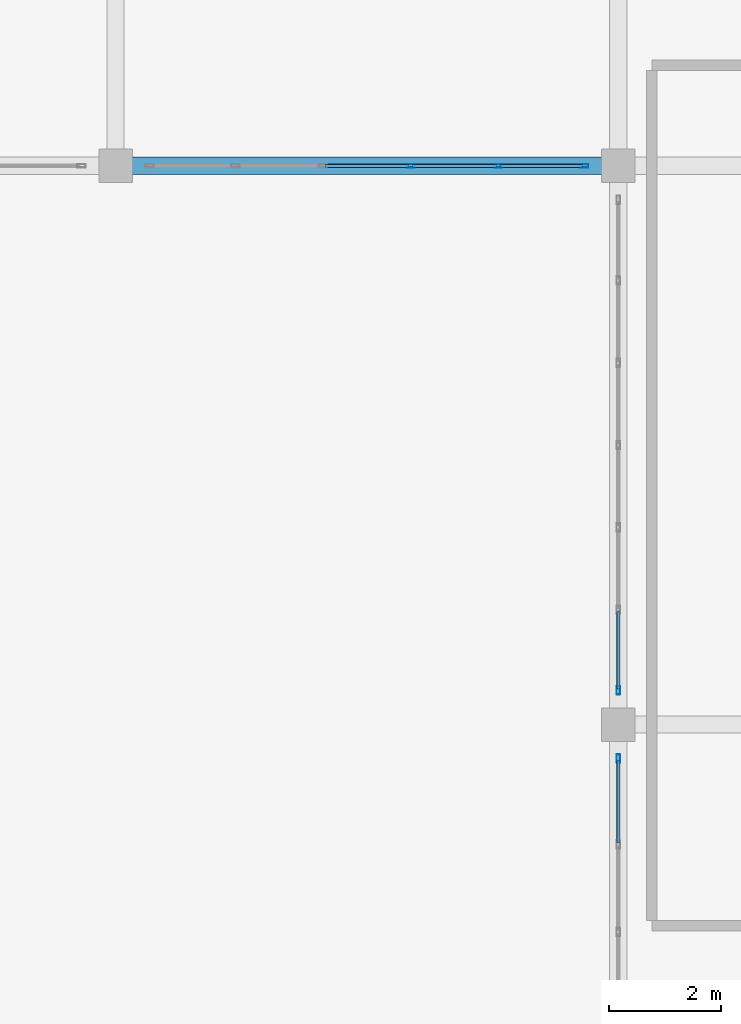
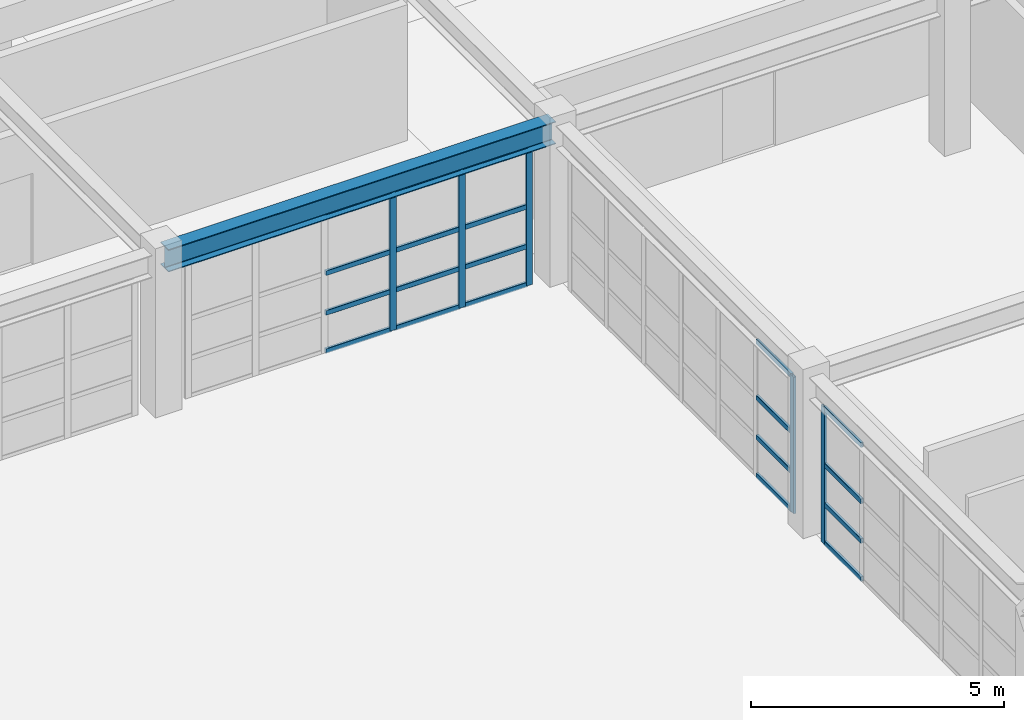
# One storey, part 20 of 110: 25 members, 1 beam, 3 elements without a shape of their own.
"""IFC4 building model written with IfcOpenShell, lengths in metres."""

from ifc_helpers import new_model, si_unit, direction, frame, origin, origin_2d, place, context, subcontext, project, spatial, hollow_rectangle, i_section, extrude, material, material_profile, profile_set, type_object, element, aggregate, save


model = new_model("IFC4")

# Units and contexts
model_context = context("Model", 3, precision=1e-05, world=origin(), true_north=direction((0.0, 1.0)))
body_context = subcontext(model_context, "Body", "Model", "MODEL_VIEW")
ifc_project = project(units=[si_unit("LENGTHUNIT", "METRE"), si_unit("AREAUNIT", "SQUARE_METRE"), si_unit("VOLUMEUNIT", "CUBIC_METRE"), si_unit("PLANEANGLEUNIT", "RADIAN"), si_unit("MASSUNIT", "GRAM", prefix="KILO")], contexts=[model_context])

# Site, building, storey
site_placement = place(None, origin())
site = spatial("IfcSite", under=ifc_project, at=site_placement, CompositionType="ELEMENT")
building_placement = place(site_placement, origin())
building = spatial("IfcBuilding", under=site, at=building_placement, Name="Miravela Opera House", CompositionType="ELEMENT")
storey_placement = place(building_placement, frame((0.0, 0.0, 13.60009765625)))
storey = spatial("IfcBuildingStorey", under=building, at=storey_placement, Name="L03", CompositionType="ELEMENT", Elevation=13.60009765625)

# Curtain wall, members
ifc_material_1 = material(Name="Anodised architectural bronze aluminium 6063-T6", Category="aluminium")
curtain_wall_type = type_object("IfcCurtainWallType", Name="ARC-CW-06", PredefinedType="NOTDEFINED", material=ifc_material_1)
curtain_wall_1_placement = place(storey_placement, origin())
curtain_wall_1 = element("IfcCurtainWall", 1, at=curtain_wall_1_placement, inside=storey, type_object=curtain_wall_type, Name="Courtyard Arcade Curtain Wall CW-L03-151", PredefinedType="NOTDEFINED")
ifc_material_profile_1 = material_profile(ifc_material_1, hollow_rectangle(XDim=0.06005859375, YDim=0.14990234375, WallThickness=0.00390625, InnerFilletRadius=0.001953125, OuterFilletRadius=0.00390625, at=origin_2d()), Name="CWM-60X150")
ifc_profile_set_1 = profile_set([ifc_material_profile_1])
member_type_1 = type_object("IfcMemberType", Name="ARC-CWM-150", PredefinedType="MULLION", material=ifc_profile_set_1)
member_1_placement = place(storey_placement, frame((59.283935546875, 28.0, 0.0), z_axis=(0.0, 0.0, 1.0), x_axis=(0.0, 1.0, 0.0)))
member_1 = element("IfcMember", 2, at=member_1_placement, type_object=member_type_1, Name="CW-06 mullion 4", PredefinedType="MULLION", context=body_context, shape_type="SweptSolid", body=[
    extrude(hollow_rectangle(XDim=0.06005859375, YDim=0.14990234375, WallThickness=0.00390625, InnerFilletRadius=0.001953125, OuterFilletRadius=0.00390625, at=origin_2d()), origin(), (0.0, 0.0, 1.0), 3.289794921875),
])
member_2_placement = place(storey_placement, frame((60.85205078125, 28.0, 0.0), z_axis=(0.0, 0.0, 1.0), x_axis=(0.0, 1.0, 0.0)))
member_2 = element("IfcMember", 3, at=member_2_placement, type_object=member_type_1, Name="CW-06 mullion 5", PredefinedType="MULLION", context=body_context, shape_type="SweptSolid", body=[
    extrude(hollow_rectangle(XDim=0.06005859375, YDim=0.14990234375, WallThickness=0.00390625, InnerFilletRadius=0.001953125, OuterFilletRadius=0.00390625, at=origin_2d()), origin(), (0.0, 0.0, 1.0), 3.289794921875),
])
member_3_placement = place(storey_placement, frame((62.389892578125, 28.0, 0.0), z_axis=(0.0, 0.0, 1.0), x_axis=(0.0, 1.0, 0.0)))
member_3 = element("IfcMember", 4, at=member_3_placement, type_object=member_type_1, Name="CW-06 mullion 6", PredefinedType="MULLION", context=body_context, shape_type="SweptSolid", body=[
    extrude(hollow_rectangle(XDim=0.06005859375, YDim=0.14990234375, WallThickness=0.00390625, InnerFilletRadius=0.001953125, OuterFilletRadius=0.00390625, at=origin_2d()), origin(), (0.0, 0.0, 1.0), 3.289794921875),
])

# Curtain wall, member
curtain_wall_2_placement = place(storey_placement, origin())
curtain_wall_2 = element("IfcCurtainWall", 5, at=curtain_wall_2_placement, inside=storey, type_object=curtain_wall_type, Name="Courtyard Arcade Curtain Wall CW-L03-154", PredefinedType="NOTDEFINED")
member_4_placement = place(storey_placement, frame((63.0, 17.389892578125, 0.0), z_axis=(0.0, 0.0, 1.0), x_axis=(-1.0, 0.0, 0.0)))
member_4 = element("IfcMember", 6, at=member_4_placement, type_object=member_type_1, Name="CW-06 mullion 6", PredefinedType="MULLION", context=body_context, shape_type="SweptSolid", body=[
    extrude(hollow_rectangle(XDim=0.06005859375, YDim=0.14990234375, WallThickness=0.00390625, InnerFilletRadius=0.001953125, OuterFilletRadius=0.00390625, at=origin_2d()), origin(), (0.0, 0.0, 1.0), 3.289794921875),
])

curtain_wall_3_placement = place(storey_placement, origin())
curtain_wall_3 = element("IfcCurtainWall", 7, at=curtain_wall_3_placement, inside=storey, type_object=curtain_wall_type, Name="Courtyard Arcade Curtain Wall CW-L03-155", PredefinedType="NOTDEFINED")
member_5_placement = place(storey_placement, frame((63.0, 18.610107421875, 0.0), z_axis=(0.0, 0.0, 1.0), x_axis=(-1.0, 0.0, 0.0)))
member_5 = element("IfcMember", 8, at=member_5_placement, type_object=member_type_1, Name="CW-06 mullion 1", PredefinedType="MULLION", context=body_context, shape_type="SweptSolid", body=[
    extrude(hollow_rectangle(XDim=0.06005859375, YDim=0.14990234375, WallThickness=0.00390625, InnerFilletRadius=0.001953125, OuterFilletRadius=0.00390625, at=origin_2d()), origin(), (0.0, 0.0, 1.0), 3.289794921875),
])

# Member
ifc_material_profile_2 = material_profile(ifc_material_1, hollow_rectangle(XDim=0.06005859375, YDim=0.114990234375, WallThickness=0.00390625, InnerFilletRadius=0.001953125, OuterFilletRadius=0.00390625, at=origin_2d()), Name="CWT-60X115")
ifc_profile_set_2 = profile_set([ifc_material_profile_2])
member_type_2 = type_object("IfcMemberType", Name="ARC-CWT-115", PredefinedType="USERDEFINED", material=ifc_profile_set_2)
member_6_placement = place(storey_placement, frame((57.74609375, 28.0, 0.02978515625), z_axis=(1.0, 0.0, 0.0), x_axis=(0.0, 1.0, 0.0)))
member_6 = element("IfcMember", 9, at=member_6_placement, type_object=member_type_2, Name="CW-06 transom 3.1", ObjectType="TRANSOM", PredefinedType="USERDEFINED", context=body_context, shape_type="SweptSolid", body=[
    extrude(hollow_rectangle(XDim=0.06005859375, YDim=0.114990234375, WallThickness=0.00390625, InnerFilletRadius=0.001953125, OuterFilletRadius=0.00390625, at=origin_2d()), origin(), (0.0, 0.0, 1.0), 1.5078125),
])

member_7_placement = place(storey_placement, frame((57.74609375, 28.0, 0.949951171875), z_axis=(1.0, 0.0, 0.0), x_axis=(0.0, 1.0, 0.0)))
member_7 = element("IfcMember", 10, at=member_7_placement, type_object=member_type_2, Name="CW-06 transom 3.2", ObjectType="TRANSOM", PredefinedType="USERDEFINED", context=body_context, shape_type="SweptSolid", body=[
    extrude(hollow_rectangle(XDim=0.06005859375, YDim=0.114990234375, WallThickness=0.00390625, InnerFilletRadius=0.001953125, OuterFilletRadius=0.00390625, at=origin_2d()), origin(), (0.0, 0.0, 1.0), 1.5078125),
])

member_8_placement = place(storey_placement, frame((57.74609375, 28.0, 1.908203125), z_axis=(1.0, 0.0, 0.0), x_axis=(0.0, 1.0, 0.0)))
member_8 = element("IfcMember", 11, at=member_8_placement, type_object=member_type_2, Name="CW-06 transom 3.3", ObjectType="TRANSOM", PredefinedType="USERDEFINED", context=body_context, shape_type="SweptSolid", body=[
    extrude(hollow_rectangle(XDim=0.06005859375, YDim=0.114990234375, WallThickness=0.00390625, InnerFilletRadius=0.001953125, OuterFilletRadius=0.00390625, at=origin_2d()), origin(), (0.0, 0.0, 1.0), 1.5078125),
])

member_9_placement = place(storey_placement, frame((57.74609375, 28.0, 3.260009765625), z_axis=(1.0, 0.0, 0.0), x_axis=(0.0, 1.0, 0.0)))
member_9 = element("IfcMember", 12, at=member_9_placement, type_object=member_type_2, Name="CW-06 transom 3.4", ObjectType="TRANSOM", PredefinedType="USERDEFINED", context=body_context, shape_type="SweptSolid", body=[
    extrude(hollow_rectangle(XDim=0.06005859375, YDim=0.114990234375, WallThickness=0.00390625, InnerFilletRadius=0.001953125, OuterFilletRadius=0.00390625, at=origin_2d()), origin(), (0.0, 0.0, 1.0), 1.5078125),
])

member_10_placement = place(storey_placement, frame((59.31396484375, 28.0, 0.02978515625), z_axis=(1.0, 0.0, 0.0), x_axis=(0.0, 1.0, 0.0)))
member_10 = element("IfcMember", 13, at=member_10_placement, type_object=member_type_2, Name="CW-06 transom 4.1", ObjectType="TRANSOM", PredefinedType="USERDEFINED", context=body_context, shape_type="SweptSolid", body=[
    extrude(hollow_rectangle(XDim=0.06005859375, YDim=0.114990234375, WallThickness=0.00390625, InnerFilletRadius=0.001953125, OuterFilletRadius=0.00390625, at=origin_2d()), origin(), (0.0, 0.0, 1.0), 1.508056640625),
])

member_11_placement = place(storey_placement, frame((59.31396484375, 28.0, 0.949951171875), z_axis=(1.0, 0.0, 0.0), x_axis=(0.0, 1.0, 0.0)))
member_11 = element("IfcMember", 14, at=member_11_placement, type_object=member_type_2, Name="CW-06 transom 4.2", ObjectType="TRANSOM", PredefinedType="USERDEFINED", context=body_context, shape_type="SweptSolid", body=[
    extrude(hollow_rectangle(XDim=0.06005859375, YDim=0.114990234375, WallThickness=0.00390625, InnerFilletRadius=0.001953125, OuterFilletRadius=0.00390625, at=origin_2d()), origin(), (0.0, 0.0, 1.0), 1.508056640625),
])

member_12_placement = place(storey_placement, frame((59.31396484375, 28.0, 1.908203125), z_axis=(1.0, 0.0, 0.0), x_axis=(0.0, 1.0, 0.0)))
member_12 = element("IfcMember", 15, at=member_12_placement, type_object=member_type_2, Name="CW-06 transom 4.3", ObjectType="TRANSOM", PredefinedType="USERDEFINED", context=body_context, shape_type="SweptSolid", body=[
    extrude(hollow_rectangle(XDim=0.06005859375, YDim=0.114990234375, WallThickness=0.00390625, InnerFilletRadius=0.001953125, OuterFilletRadius=0.00390625, at=origin_2d()), origin(), (0.0, 0.0, 1.0), 1.508056640625),
])

member_13_placement = place(storey_placement, frame((59.31396484375, 28.0, 3.260009765625), z_axis=(1.0, 0.0, 0.0), x_axis=(0.0, 1.0, 0.0)))
member_13 = element("IfcMember", 16, at=member_13_placement, type_object=member_type_2, Name="CW-06 transom 4.4", ObjectType="TRANSOM", PredefinedType="USERDEFINED", context=body_context, shape_type="SweptSolid", body=[
    extrude(hollow_rectangle(XDim=0.06005859375, YDim=0.114990234375, WallThickness=0.00390625, InnerFilletRadius=0.001953125, OuterFilletRadius=0.00390625, at=origin_2d()), origin(), (0.0, 0.0, 1.0), 1.508056640625),
])

member_14_placement = place(storey_placement, frame((60.882080078125, 28.0, 0.02978515625), z_axis=(1.0, 0.0, 0.0), x_axis=(0.0, 1.0, 0.0)))
member_14 = element("IfcMember", 17, at=member_14_placement, type_object=member_type_2, Name="CW-06 transom 5.1", ObjectType="TRANSOM", PredefinedType="USERDEFINED", context=body_context, shape_type="SweptSolid", body=[
    extrude(hollow_rectangle(XDim=0.06005859375, YDim=0.114990234375, WallThickness=0.00390625, InnerFilletRadius=0.001953125, OuterFilletRadius=0.00390625, at=origin_2d()), origin(), (0.0, 0.0, 1.0), 1.47802734375),
])

member_15_placement = place(storey_placement, frame((60.882080078125, 28.0, 0.949951171875), z_axis=(1.0, 0.0, 0.0), x_axis=(0.0, 1.0, 0.0)))
member_15 = element("IfcMember", 18, at=member_15_placement, type_object=member_type_2, Name="CW-06 transom 5.2", ObjectType="TRANSOM", PredefinedType="USERDEFINED", context=body_context, shape_type="SweptSolid", body=[
    extrude(hollow_rectangle(XDim=0.06005859375, YDim=0.114990234375, WallThickness=0.00390625, InnerFilletRadius=0.001953125, OuterFilletRadius=0.00390625, at=origin_2d()), origin(), (0.0, 0.0, 1.0), 1.47802734375),
])

member_16_placement = place(storey_placement, frame((60.882080078125, 28.0, 1.908203125), z_axis=(1.0, 0.0, 0.0), x_axis=(0.0, 1.0, 0.0)))
member_16 = element("IfcMember", 19, at=member_16_placement, type_object=member_type_2, Name="CW-06 transom 5.3", ObjectType="TRANSOM", PredefinedType="USERDEFINED", context=body_context, shape_type="SweptSolid", body=[
    extrude(hollow_rectangle(XDim=0.06005859375, YDim=0.114990234375, WallThickness=0.00390625, InnerFilletRadius=0.001953125, OuterFilletRadius=0.00390625, at=origin_2d()), origin(), (0.0, 0.0, 1.0), 1.47802734375),
])

member_17_placement = place(storey_placement, frame((60.882080078125, 28.0, 3.260009765625), z_axis=(1.0, 0.0, 0.0), x_axis=(0.0, 1.0, 0.0)))
member_17 = element("IfcMember", 20, at=member_17_placement, type_object=member_type_2, Name="CW-06 transom 5.4", ObjectType="TRANSOM", PredefinedType="USERDEFINED", context=body_context, shape_type="SweptSolid", body=[
    extrude(hollow_rectangle(XDim=0.06005859375, YDim=0.114990234375, WallThickness=0.00390625, InnerFilletRadius=0.001953125, OuterFilletRadius=0.00390625, at=origin_2d()), origin(), (0.0, 0.0, 1.0), 1.47802734375),
])

aggregate(curtain_wall_1, [member_1, member_2, member_3, member_6, member_7, member_8, member_9, member_10, member_11, member_12, member_13, member_14, member_15, member_16, member_17])

member_18_placement = place(storey_placement, frame((63.0, 15.882080078125, 0.02978515625), z_axis=(0.0, 1.0, 0.0), x_axis=(-1.0, 0.0, 0.0)))
member_18 = element("IfcMember", 21, at=member_18_placement, type_object=member_type_2, Name="CW-06 transom 5.1", ObjectType="TRANSOM", PredefinedType="USERDEFINED", context=body_context, shape_type="SweptSolid", body=[
    extrude(hollow_rectangle(XDim=0.06005859375, YDim=0.114990234375, WallThickness=0.00390625, InnerFilletRadius=0.001953125, OuterFilletRadius=0.00390625, at=origin_2d()), origin(), (0.0, 0.0, 1.0), 1.47802734375),
])

member_19_placement = place(storey_placement, frame((63.0, 15.882080078125, 0.949951171875), z_axis=(0.0, 1.0, 0.0), x_axis=(-1.0, 0.0, 0.0)))
member_19 = element("IfcMember", 22, at=member_19_placement, type_object=member_type_2, Name="CW-06 transom 5.2", ObjectType="TRANSOM", PredefinedType="USERDEFINED", context=body_context, shape_type="SweptSolid", body=[
    extrude(hollow_rectangle(XDim=0.06005859375, YDim=0.114990234375, WallThickness=0.00390625, InnerFilletRadius=0.001953125, OuterFilletRadius=0.00390625, at=origin_2d()), origin(), (0.0, 0.0, 1.0), 1.47802734375),
])

member_20_placement = place(storey_placement, frame((63.0, 15.882080078125, 1.908203125), z_axis=(0.0, 1.0, 0.0), x_axis=(-1.0, 0.0, 0.0)))
member_20 = element("IfcMember", 23, at=member_20_placement, type_object=member_type_2, Name="CW-06 transom 5.3", ObjectType="TRANSOM", PredefinedType="USERDEFINED", context=body_context, shape_type="SweptSolid", body=[
    extrude(hollow_rectangle(XDim=0.06005859375, YDim=0.114990234375, WallThickness=0.00390625, InnerFilletRadius=0.001953125, OuterFilletRadius=0.00390625, at=origin_2d()), origin(), (0.0, 0.0, 1.0), 1.47802734375),
])

member_21_placement = place(storey_placement, frame((63.0, 15.882080078125, 3.260009765625), z_axis=(0.0, 1.0, 0.0), x_axis=(-1.0, 0.0, 0.0)))
member_21 = element("IfcMember", 24, at=member_21_placement, type_object=member_type_2, Name="CW-06 transom 5.4", ObjectType="TRANSOM", PredefinedType="USERDEFINED", context=body_context, shape_type="SweptSolid", body=[
    extrude(hollow_rectangle(XDim=0.06005859375, YDim=0.114990234375, WallThickness=0.00390625, InnerFilletRadius=0.001953125, OuterFilletRadius=0.00390625, at=origin_2d()), origin(), (0.0, 0.0, 1.0), 1.47802734375),
])

aggregate(curtain_wall_2, [member_4, member_18, member_19, member_20, member_21])

member_22_placement = place(storey_placement, frame((63.0, 18.639892578125, 0.02978515625), z_axis=(0.0, 1.0, 0.0), x_axis=(-1.0, 0.0, 0.0)))
member_22 = element("IfcMember", 25, at=member_22_placement, type_object=member_type_2, Name="CW-06 transom 1.1", ObjectType="TRANSOM", PredefinedType="USERDEFINED", context=body_context, shape_type="SweptSolid", body=[
    extrude(hollow_rectangle(XDim=0.06005859375, YDim=0.114990234375, WallThickness=0.00390625, InnerFilletRadius=0.001953125, OuterFilletRadius=0.00390625, at=origin_2d()), origin(), (0.0, 0.0, 1.0), 1.383544921875),
])

member_23_placement = place(storey_placement, frame((63.0, 18.639892578125, 0.949951171875), z_axis=(0.0, 1.0, 0.0), x_axis=(-1.0, 0.0, 0.0)))
member_23 = element("IfcMember", 26, at=member_23_placement, type_object=member_type_2, Name="CW-06 transom 1.2", ObjectType="TRANSOM", PredefinedType="USERDEFINED", context=body_context, shape_type="SweptSolid", body=[
    extrude(hollow_rectangle(XDim=0.06005859375, YDim=0.114990234375, WallThickness=0.00390625, InnerFilletRadius=0.001953125, OuterFilletRadius=0.00390625, at=origin_2d()), origin(), (0.0, 0.0, 1.0), 1.383544921875),
])

member_24_placement = place(storey_placement, frame((63.0, 18.639892578125, 1.908203125), z_axis=(0.0, 1.0, 0.0), x_axis=(-1.0, 0.0, 0.0)))
member_24 = element("IfcMember", 27, at=member_24_placement, type_object=member_type_2, Name="CW-06 transom 1.3", ObjectType="TRANSOM", PredefinedType="USERDEFINED", context=body_context, shape_type="SweptSolid", body=[
    extrude(hollow_rectangle(XDim=0.06005859375, YDim=0.114990234375, WallThickness=0.00390625, InnerFilletRadius=0.001953125, OuterFilletRadius=0.00390625, at=origin_2d()), origin(), (0.0, 0.0, 1.0), 1.383544921875),
])

member_25_placement = place(storey_placement, frame((63.0, 18.639892578125, 3.260009765625), z_axis=(0.0, 1.0, 0.0), x_axis=(-1.0, 0.0, 0.0)))
member_25 = element("IfcMember", 28, at=member_25_placement, type_object=member_type_2, Name="CW-06 transom 1.4", ObjectType="TRANSOM", PredefinedType="USERDEFINED", context=body_context, shape_type="SweptSolid", body=[
    extrude(hollow_rectangle(XDim=0.06005859375, YDim=0.114990234375, WallThickness=0.00390625, InnerFilletRadius=0.001953125, OuterFilletRadius=0.00390625, at=origin_2d()), origin(), (0.0, 0.0, 1.0), 1.383544921875),
])

aggregate(curtain_wall_3, [member_5, member_22, member_23, member_24, member_25])

# Beam
ifc_material_2 = material(Name="Structural steel ASTM A992 Gr. 50", Category="steel")
ifc_material_profile_3 = material_profile(ifc_material_2, i_section(OverallWidth=0.31201171875, OverallDepth=0.54296875, WebThickness=0.0126953125, FlangeThickness=0.020263671875, FilletRadius=0.01611328125, at=origin_2d()), Name="W530X150")
ifc_profile_set_3 = profile_set([ifc_material_profile_3])
beam_type = type_object("IfcBeamType", Name="STR-BM-W530X150", PredefinedType="BEAM", material=ifc_profile_set_3)
beam_placement = place(storey_placement, frame((54.080078125, 28.0, 3.568359375), z_axis=(1.0, 0.0, 0.0), x_axis=(0.0, 1.0, 0.0)))
element("IfcBeam", 29, at=beam_placement, inside=storey, type_object=beam_type, Name="Roof Eave Girder ROOF-V4-WEST-N S5", PredefinedType="BEAM", context=body_context, shape_type="SweptSolid", body=[
    extrude(i_section(OverallWidth=0.31201171875, OverallDepth=0.54296875, WebThickness=0.0126953125, FlangeThickness=0.020263671875, FilletRadius=0.01611328125, at=origin_2d()), origin(), (0.0, 0.0, 1.0), 8.83984375),
])

save(model, "model.ifc")
